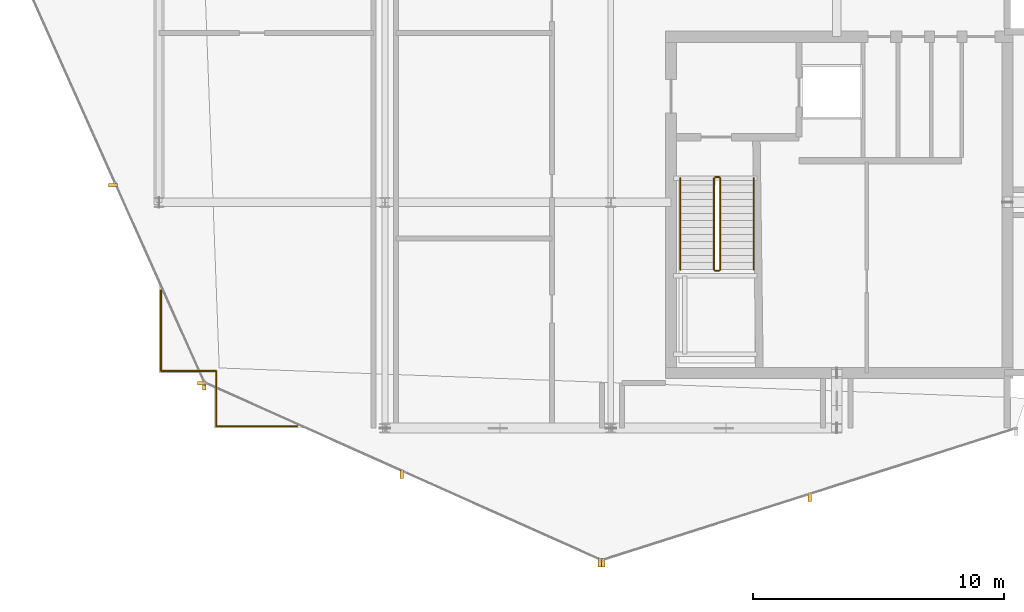
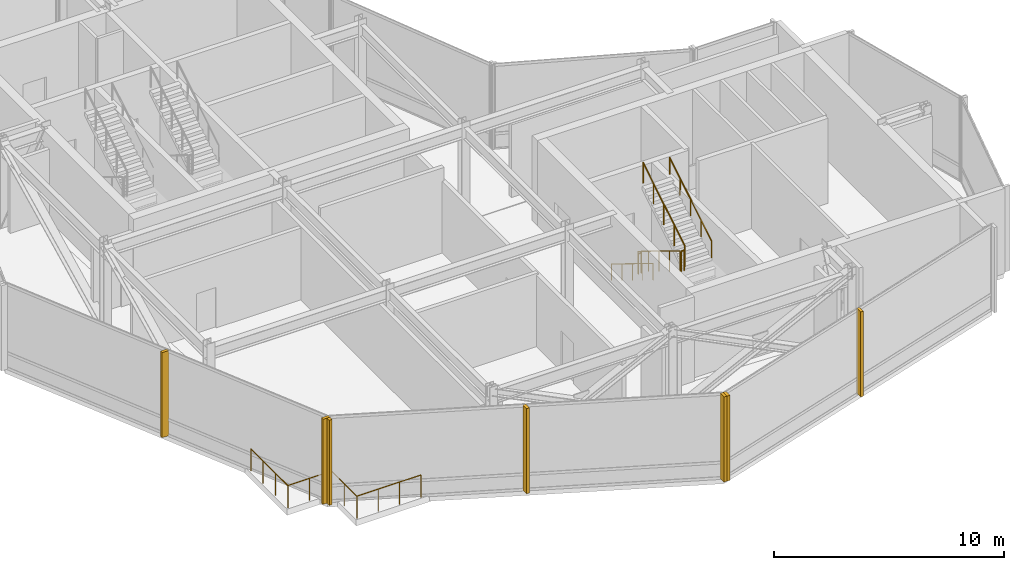
# One storey, part 20 of 23: 10 railings, 7 shading devices.
"""IFC4 building model written with IfcOpenShell, lengths in metres."""

from ifc_helpers import new_model, si_unit, direction, frame, origin, origin_2d, place, context, subcontext, project, spatial, rectangle, circle, extrude, material, type_object, element, save


model = new_model("IFC4")

# Units and contexts
model_context = context("Model", 3, precision=1e-05, world=origin(), true_north=direction((0.0, 1.0)))
body_context = subcontext(model_context, "Body", "Model", "MODEL_VIEW")
ifc_project = project(units=[si_unit("LENGTHUNIT", "METRE"), si_unit("AREAUNIT", "SQUARE_METRE"), si_unit("VOLUMEUNIT", "CUBIC_METRE"), si_unit("PLANEANGLEUNIT", "RADIAN"), si_unit("MASSUNIT", "GRAM", prefix="KILO")], contexts=[model_context])

# Site, building, storey
site_placement = place(None, origin())
site = spatial("IfcSite", under=ifc_project, at=site_placement, CompositionType="ELEMENT")
building_placement = place(site_placement, origin())
building = spatial("IfcBuilding", under=site, at=building_placement, Name="Solvaryn Broadcast Tower", CompositionType="ELEMENT")
storey_placement = place(building_placement, frame((0.0, 0.0, 285.199951171875)))
storey = spatial("IfcBuildingStorey", under=building, at=storey_placement, Name="L72", CompositionType="ELEMENT", Elevation=285.199951171875)

# Railings
ifc_material_1 = material(Name="Stainless Steel and Laminated Glass Guard", Category="steel")
railing_type_1 = type_object("IfcRailingType", Name="RL-SKYG-1200", PredefinedType="BALUSTRADE", material=ifc_material_1)
railing_1_placement = place(storey_placement, frame((9.080078125, 14.5, 0.0)))
element("IfcRailing", 1, at=railing_1_placement, inside=storey, type_object=railing_type_1, Name="L72 Upper SW Corner Balustrade 1", PredefinedType="BALUSTRADE", context=body_context, shape_type="SweptSolid", body=[
    extrude(circle(Radius=0.02392578125, at=origin_2d()), frame((0.0, 0.0, 1.17578125), z_axis=(0.0, -1.0, 0.0), x_axis=(1.0, 0.0, 0.0)), (0.0, 0.0, 1.0), 3.219970703125),
    extrude(circle(Radius=0.02099609375, at=origin_2d()), origin(), (0.0, 0.0, 1.0), 1.15185546875),
    extrude(circle(Radius=0.02099609375, at=origin_2d()), frame((0.0, -1.0732421875, 0.0)), (0.0, 0.0, 1.0), 1.15185546875),
    extrude(circle(Radius=0.02099609375, at=origin_2d()), frame((0.0, -2.146728515625, 0.0)), (0.0, 0.0, 1.0), 1.15185546875),
    extrude(circle(Radius=0.02099609375, at=origin_2d()), frame((0.0, -3.219970703125, 0.0)), (0.0, 0.0, 1.0), 1.15185546875),
])
railing_2_placement = place(storey_placement, frame((9.080078125, 11.280029296875, 0.0)))
element("IfcRailing", 2, at=railing_2_placement, inside=storey, type_object=railing_type_1, Name="L72 Upper SW Corner Balustrade 2", PredefinedType="BALUSTRADE", context=body_context, shape_type="SweptSolid", body=[
    extrude(circle(Radius=0.02392578125, at=origin_2d()), frame((0.0, 0.0, 1.17578125), z_axis=(1.0, 0.0, 0.0), x_axis=(0.0, 1.0, 0.0)), (0.0, 0.0, 1.0), 2.199951171875),
    extrude(circle(Radius=0.02099609375, at=origin_2d()), origin(), (0.0, 0.0, 1.0), 1.15185546875),
    extrude(circle(Radius=0.02099609375, at=origin_2d()), frame((1.10009765625, 0.0, 0.0)), (0.0, 0.0, 1.0), 1.15185546875),
    extrude(circle(Radius=0.02099609375, at=origin_2d()), frame((2.199951171875, 0.0, 0.0)), (0.0, 0.0, 1.0), 1.15185546875),
])
railing_3_placement = place(storey_placement, frame((11.280029296875, 11.280029296875, 0.0)))
element("IfcRailing", 3, at=railing_3_placement, inside=storey, type_object=railing_type_1, Name="L72 Upper SW Corner Balustrade 3", PredefinedType="BALUSTRADE", context=body_context, shape_type="SweptSolid", body=[
    extrude(circle(Radius=0.02392578125, at=origin_2d()), frame((0.0, 0.0, 1.17578125), z_axis=(0.0, -1.0, 0.0), x_axis=(1.0, 0.0, 0.0)), (0.0, 0.0, 1.0), 2.199951171875),
    extrude(circle(Radius=0.02099609375, at=origin_2d()), origin(), (0.0, 0.0, 1.0), 1.15185546875),
    extrude(circle(Radius=0.02099609375, at=origin_2d()), frame((0.0, -1.10009765625, 0.0)), (0.0, 0.0, 1.0), 1.15185546875),
    extrude(circle(Radius=0.02099609375, at=origin_2d()), frame((0.0, -2.199951171875, 0.0)), (0.0, 0.0, 1.0), 1.15185546875),
])
railing_4_placement = place(storey_placement, frame((11.280029296875, 9.080078125, 0.0)))
element("IfcRailing", 4, at=railing_4_placement, inside=storey, type_object=railing_type_1, Name="L72 Upper SW Corner Balustrade 4", PredefinedType="BALUSTRADE", context=body_context, shape_type="SweptSolid", body=[
    extrude(circle(Radius=0.02392578125, at=origin_2d()), frame((0.0, 0.0, 1.17578125), z_axis=(1.0, 0.0, 0.0), x_axis=(0.0, 1.0, 0.0)), (0.0, 0.0, 1.0), 3.219970703125),
    extrude(circle(Radius=0.02099609375, at=origin_2d()), origin(), (0.0, 0.0, 1.0), 1.15185546875),
    extrude(circle(Radius=0.02099609375, at=origin_2d()), frame((1.0732421875, 0.0, 0.0)), (0.0, 0.0, 1.0), 1.15185546875),
    extrude(circle(Radius=0.02099609375, at=origin_2d()), frame((2.146728515625, 0.0, 0.0)), (0.0, 0.0, 1.0), 1.15185546875),
    extrude(circle(Radius=0.02099609375, at=origin_2d()), frame((3.219970703125, 0.0, 0.0)), (0.0, 0.0, 1.0), 1.15185546875),
])
ifc_material_2 = material(Name="Painted Steel Stair Well Guard", Category="steel")
railing_type_2 = type_object("IfcRailingType", Name="RL-STAIR-GUARD", PredefinedType="BALUSTRADE", material=ifc_material_2)
railing_5_placement = place(storey_placement, frame((31.110107421875, 18.9599609375, 0.17138671875)))
element("IfcRailing", 5, at=railing_5_placement, inside=storey, type_object=railing_type_2, Name="L72 ST3 stair guard 1", PredefinedType="BALUSTRADE", context=body_context, shape_type="SweptSolid", body=[
    extrude(circle(Radius=0.02392578125, at=origin_2d()), frame((0.0, 0.0, 1.076171875), z_axis=(0.0, -0.852824790078, 0.522197163366), x_axis=(1.0, 0.0, 0.0)), (0.0, 0.0, 1.0), 4.26806640625),
    extrude(circle(Radius=0.02099609375, at=origin_2d()), origin(), (0.0, 0.0, 1.0), 1.052001953125),
    extrude(circle(Radius=0.02099609375, at=origin_2d()), frame((0.0, -0.909912109375, 0.55712890625)), (0.0, 0.0, 1.0), 1.052001953125),
    extrude(circle(Radius=0.02099609375, at=origin_2d()), frame((0.0, -1.81982421875, 1.1142578125)), (0.0, 0.0, 1.0), 1.052001953125),
    extrude(circle(Radius=0.02099609375, at=origin_2d()), frame((0.0, -2.72998046875, 1.671630859375)), (0.0, 0.0, 1.0), 1.052001953125),
    extrude(circle(Radius=0.02099609375, at=origin_2d()), frame((0.0, -3.639892578125, 2.228759765625)), (0.0, 0.0, 1.0), 1.052001953125),
])
railing_6_placement = place(storey_placement, frame((31.159912109375, 15.27001953125, 2.400146484375)))
element("IfcRailing", 6, at=railing_6_placement, inside=storey, type_object=railing_type_2, Name="L72 ST3 stair guard 2", PredefinedType="BALUSTRADE", context=body_context, shape_type="SweptSolid", body=[
    extrude(circle(Radius=0.02392578125, at=origin_2d()), frame((0.0, 0.0, 1.076171875), z_axis=(1.0, 0.0, 0.0), x_axis=(0.0, 1.0, 0.0)), (0.0, 0.0, 1.0), 0.150146484375),
    extrude(circle(Radius=0.02099609375, at=origin_2d()), origin(), (0.0, 0.0, 1.0), 1.052001953125),
    extrude(circle(Radius=0.02099609375, at=origin_2d()), frame((0.150146484375, 0.0, 0.0)), (0.0, 0.0, 1.0), 1.052001953125),
])
railing_7_placement = place(storey_placement, frame((31.360107421875, 15.320068359375, 2.571533203125)))
element("IfcRailing", 7, at=railing_7_placement, inside=storey, type_object=railing_type_2, Name="L72 ST3 stair guard 3", PredefinedType="BALUSTRADE", context=body_context, shape_type="SweptSolid", body=[
    extrude(circle(Radius=0.02392578125, at=origin_2d()), frame((0.0, 0.0, 1.076171875), z_axis=(0.0, 0.852850264322, 0.5221555579), x_axis=(-1.0, 0.0, 0.0)), (0.0, 0.0, 1.0), 4.267822265625),
    extrude(circle(Radius=0.02099609375, at=origin_2d()), origin(), (0.0, 0.0, 1.0), 1.052001953125),
    extrude(circle(Radius=0.02099609375, at=origin_2d()), frame((0.0, 0.909912109375, 0.55712890625)), (0.0, 0.0, 1.0), 1.052001953125),
    extrude(circle(Radius=0.02099609375, at=origin_2d()), frame((0.0, 1.81982421875, 1.1142578125)), (0.0, 0.0, 1.0), 1.052001953125),
    extrude(circle(Radius=0.02099609375, at=origin_2d()), frame((0.0, 2.72998046875, 1.67138671875)), (0.0, 0.0, 1.0), 1.052001953125),
    extrude(circle(Radius=0.02099609375, at=origin_2d()), frame((0.0, 3.639892578125, 2.228515625)), (0.0, 0.0, 1.0), 1.052001953125),
])
railing_8_placement = place(storey_placement, frame((31.159912109375, 19.010009765625, 0.0)))
element("IfcRailing", 8, at=railing_8_placement, inside=storey, type_object=railing_type_2, Name="L72 ST3 stair guard 4", PredefinedType="BALUSTRADE", context=body_context, shape_type="SweptSolid", body=[
    extrude(circle(Radius=0.02392578125, at=origin_2d()), frame((0.0, 0.0, 1.076171875), z_axis=(1.0, 0.0, 0.0), x_axis=(0.0, 1.0, 0.0)), (0.0, 0.0, 1.0), 0.150146484375),
    extrude(circle(Radius=0.02099609375, at=origin_2d()), origin(), (0.0, 0.0, 1.0), 1.052001953125),
    extrude(circle(Radius=0.02099609375, at=origin_2d()), frame((0.150146484375, 0.0, 0.0)), (0.0, 0.0, 1.0), 1.052001953125),
])
ifc_material_3 = material(Name="Brushed Stainless Steel Tubular Handrail", Category="steel")
railing_type_3 = type_object("IfcRailingType", Name="RL-STAIR-HANDRAIL", PredefinedType="HANDRAIL", material=ifc_material_3)
railing_9_placement = place(storey_placement, frame((29.77001953125, 18.9599609375, 0.17138671875)))
element("IfcRailing", 9, at=railing_9_placement, inside=storey, type_object=railing_type_3, Name="L72 ST3 stair handrail 1", PredefinedType="HANDRAIL", context=body_context, shape_type="SweptSolid", body=[
    extrude(circle(Radius=0.02392578125, at=origin_2d()), frame((0.0, 0.0, 0.8759765625), z_axis=(0.0, -0.852824790078, 0.522197163366), x_axis=(1.0, 0.0, 0.0)), (0.0, 0.0, 1.0), 4.26806640625),
    extrude(circle(Radius=0.02099609375, at=origin_2d()), origin(), (0.0, 0.0, 1.0), 0.851806640625),
    extrude(circle(Radius=0.02099609375, at=origin_2d()), frame((0.0, -0.909912109375, 0.55712890625)), (0.0, 0.0, 1.0), 0.851806640625),
    extrude(circle(Radius=0.02099609375, at=origin_2d()), frame((0.0, -1.81982421875, 1.1142578125)), (0.0, 0.0, 1.0), 0.851806640625),
    extrude(circle(Radius=0.02099609375, at=origin_2d()), frame((0.0, -2.72998046875, 1.671630859375)), (0.0, 0.0, 1.0), 0.851806640625),
    extrude(circle(Radius=0.02099609375, at=origin_2d()), frame((0.0, -3.639892578125, 2.228759765625)), (0.0, 0.0, 1.0), 0.851806640625),
])
railing_10_placement = place(storey_placement, frame((32.699951171875, 15.320068359375, 2.571533203125)))
element("IfcRailing", 10, at=railing_10_placement, inside=storey, type_object=railing_type_3, Name="L72 ST3 stair handrail 2", PredefinedType="HANDRAIL", context=body_context, shape_type="SweptSolid", body=[
    extrude(circle(Radius=0.02392578125, at=origin_2d()), frame((0.0, 0.0, 0.8759765625), z_axis=(0.0, 0.852850264322, 0.5221555579), x_axis=(-1.0, 0.0, 0.0)), (0.0, 0.0, 1.0), 4.267822265625),
    extrude(circle(Radius=0.02099609375, at=origin_2d()), origin(), (0.0, 0.0, 1.0), 0.851806640625),
    extrude(circle(Radius=0.02099609375, at=origin_2d()), frame((0.0, 0.909912109375, 0.55712890625)), (0.0, 0.0, 1.0), 0.851806640625),
    extrude(circle(Radius=0.02099609375, at=origin_2d()), frame((0.0, 1.81982421875, 1.1142578125)), (0.0, 0.0, 1.0), 0.851806640625),
    extrude(circle(Radius=0.02099609375, at=origin_2d()), frame((0.0, 2.72998046875, 1.67138671875)), (0.0, 0.0, 1.0), 0.851806640625),
    extrude(circle(Radius=0.02099609375, at=origin_2d()), frame((0.0, 3.639892578125, 2.228515625)), (0.0, 0.0, 1.0), 0.851806640625),
])

# Shading devices
ifc_material_4 = material(Name="Anodised Aluminium Acoustic Louvre", Category="aluminium")
shading_device_type = type_object("IfcShadingDeviceType", Name="LV-01 Plant Intake Louvre", PredefinedType="USERDEFINED", material=ifc_material_4)
for number, where, z_axis, x_axis, name in (
    (11, (7.16796875, 18.677490234375, 0.0), (0.0, 0.0, 1.0), (1.0, 0.0, 0.0), "L72 Plant Acoustic Louvre LV-CW-L72-DR2/M01"),
    (12, (10.6953125, 10.79541015625, 0.0), (0.0, 0.0, 1.0), (1.0, 0.0, 0.0), "L72 Plant Acoustic Louvre LV-CW-L72-DR2/M02"),
):
    element("IfcShadingDevice", number, at=place(storey_placement, frame(where, z_axis=z_axis, x_axis=x_axis)), inside=storey, type_object=shading_device_type, Name=name, ObjectType="LOUVRE", PredefinedType="USERDEFINED", context=body_context, shape_type="SweptSolid", body=[
        extrude(rectangle(XDim=0.340087890625, YDim=0.139892578125, at=origin_2d()), origin(), (0.0, 0.0, 1.0), 4.52001953125),
    ])
for number, where, z_axis, x_axis, name in (
    (13, (10.79541015625, 10.6953125, 0.0), (0.0, 0.0, 1.0), (1.0, 0.0, 0.0), "L72 Plant Acoustic Louvre LV-CW-L72-DR3/M00"),
    (14, (18.677490234375, 7.16796875, 0.0), (0.0, 0.0, 1.0), (1.0, 0.0, 0.0), "L72 Plant Acoustic Louvre LV-CW-L72-DR3/M01"),
    (15, (26.5595703125, 3.640869140625, 0.0), (0.0, 0.0, 1.0), (1.0, 0.0, 0.0), "L72 Plant Acoustic Louvre LV-CW-L72-DR3/M02"),
    (16, (26.701171875, 3.632568359375, 0.0), (0.0, 0.0, 1.0), (1.0, 0.0, 0.0), "L72 Plant Acoustic Louvre LV-CW-L72-DR4/M00"),
    (17, (34.928955078125, 6.25439453125, 0.0), (0.0, 0.0, 1.0), (1.0, 0.0, 0.0), "L72 Plant Acoustic Louvre LV-CW-L72-DR4/M01"),
):
    element("IfcShadingDevice", number, at=place(storey_placement, frame(where, z_axis=z_axis, x_axis=x_axis)), inside=storey, type_object=shading_device_type, Name=name, ObjectType="LOUVRE", PredefinedType="USERDEFINED", context=body_context, shape_type="SweptSolid", body=[
        extrude(rectangle(XDim=0.139892578125, YDim=0.340087890625, at=origin_2d()), origin(), (0.0, 0.0, 1.0), 4.52001953125),
    ])

save(model, "model.ifc")
